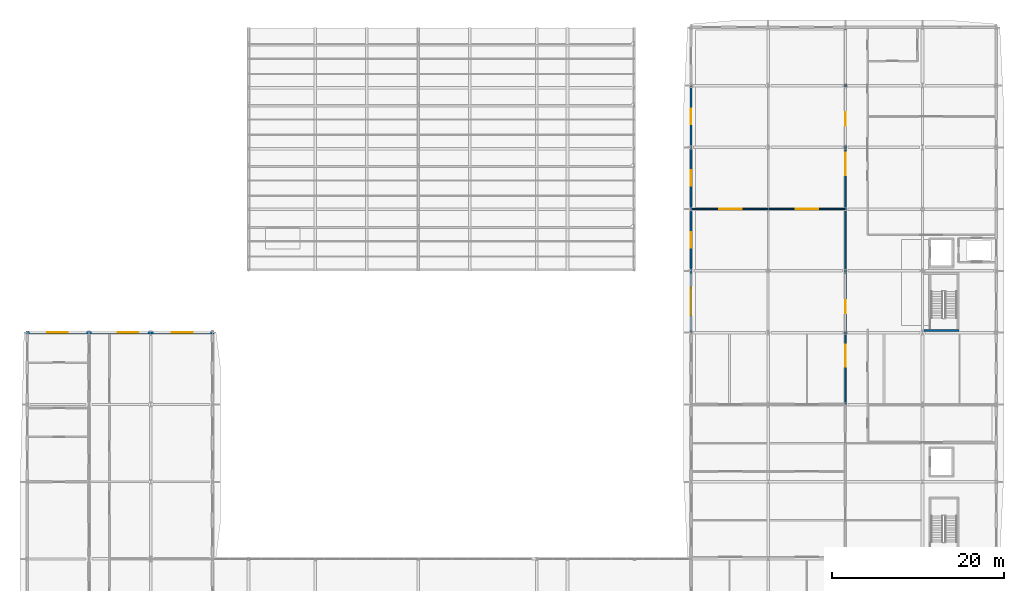
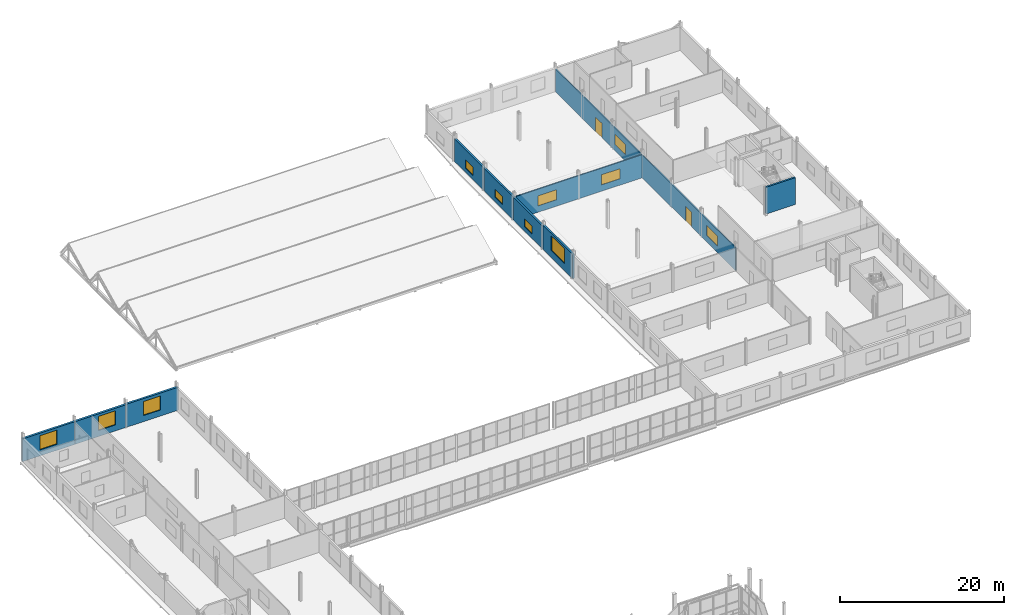
# One storey, part 121 of 138: 11 walls, 11 windows, 2 doors, 13 openings.
"""IFC4 building model written with IfcOpenShell, lengths in metres."""

from ifc_helpers import new_model, si_unit, direction, frame, frame_2d, origin, place, context, subcontext, project, spatial, rectangle, extrude, material, layer, layer_set, type_object, element, fill, save


model = new_model("IFC4")

# Units and contexts
model_context = context("Model", 3, precision=1e-05, world=origin(), true_north=direction((0.0, 1.0)))
body_context = subcontext(model_context, "Body", "Model", "MODEL_VIEW")
ifc_project = project(units=[si_unit("LENGTHUNIT", "METRE"), si_unit("AREAUNIT", "SQUARE_METRE"), si_unit("VOLUMEUNIT", "CUBIC_METRE"), si_unit("PLANEANGLEUNIT", "RADIAN"), si_unit("MASSUNIT", "GRAM", prefix="KILO")], contexts=[model_context])

# Site, building, storey
site_placement = place(None, origin())
site = spatial("IfcSite", under=ifc_project, at=site_placement, CompositionType="ELEMENT")
building_placement = place(site_placement, origin())
building = spatial("IfcBuilding", under=site, at=building_placement, Name="Vinh Khe Railworks Police Headquarters", CompositionType="ELEMENT")
storey_placement = place(building_placement, frame((0.0, 0.0, 9.0)))
storey = spatial("IfcBuildingStorey", under=building, at=storey_placement, Name="L02", CompositionType="ELEMENT", Elevation=9.0)

# Wall
ifc_material_1 = material(Name="Concrete C40/50 (B40)", Category="concrete")
ifc_layer_1 = layer(ifc_material_1, 0.25)
ifc_layer_set_1 = layer_set([ifc_layer_1], Name="Concrete C40/50 (B40)")
wall_type_1 = type_object("IfcWallType", Name="Core Shear Wall 250", PredefinedType="SHEAR", material=ifc_layer_set_1)
wall_1_placement = place(storey_placement, frame((105.14990234375, 131.02490234375, 0.0), z_axis=(0.0, 0.0, 1.0), x_axis=(1.0, 0.0, 0.0)))
element("IfcWall", 1, at=wall_1_placement, inside=storey, type_object=wall_type_1, Name="Core C3 STAIR-S Shear Wall (L02)", PredefinedType="SHEAR", context=body_context, shape_type="SweptSolid", body=[
    extrude(rectangle(XDim=4.10009765625, YDim=0.25, at=frame_2d((2.050048828125, 0.0))), origin(), (0.0, 0.0, 1.0), 3.97998046875),
])

# Wall, opening, window
ifc_material_2 = material(Name="Clay brickwork", Category="masonry")
ifc_layer_2 = layer(ifc_material_2, 0.260009765625)
ifc_layer_set_2 = layer_set([ifc_layer_2], Name="Clay brickwork")
wall_type_2 = type_object("IfcWallType", Name="EW-BRK-260", PredefinedType="SOLIDWALL", material=ifc_layer_set_2)
wall_2_placement = place(storey_placement, frame((78.0, 130.800048828125, 0.0), z_axis=(0.0, 0.0, 1.0), x_axis=(0.0, 1.0, 0.0)))
wall_2 = element("IfcWall", 2, at=wall_2_placement, inside=storey, type_object=wall_type_2, Name="Exterior Brick Wall EW-L02-V6W-05", PredefinedType="SOLIDWALL", context=body_context, shape_type="SweptSolid", body=[
    extrude(rectangle(XDim=7.199951171875, YDim=0.260009765625, at=frame_2d((3.60009765625, 0.0))), origin(), (0.0, 0.0, 1.0), 3.625),
])
opening_1_placement = place(wall_2_placement, frame((2.0, 0.0, 1.050048828125)))
opening_1 = element("IfcOpeningElement", 3, at=opening_1_placement, cuts=wall_2, Name="Opening WN-03", PredefinedType="OPENING", context=body_context, shape_type="SweptSolid", body=[
    extrude(rectangle(XDim=3.199951171875, YDim=2.199951171875, at=frame_2d((1.60009765625, 1.10009765625))), frame((0.0, 0.14501953125, 0.0), z_axis=(0.0, -1.0, 0.0), x_axis=(1.0, 0.0, 0.0)), (0.0, 0.0, 1.0), 0.289794921875),
])
ifc_material_3 = material(Name="Double-glazed solar-control glass in dark steel frame", Category="steel")
window_type_1 = type_object("IfcWindowType", Name="WIN-WN-03", PartitioningType="TRIPLE_PANEL_VERTICAL", PredefinedType="WINDOW", material=ifc_material_3)
window_1_placement = place(opening_1_placement, origin())
window_1 = element("IfcWindow", 4, at=window_1_placement, inside=storey, type_object=window_type_1, Name="Casement Window WN-03", OverallHeight=2.199951171875, OverallWidth=3.199951171875, PartitioningType="SINGLE_PANEL", PredefinedType="WINDOW", context=body_context, shape_type="SweptSolid", body=[
    extrude(rectangle(XDim=3.199951171875, YDim=2.199951171875, at=frame_2d((1.60009765625, 1.10009765625))), frame((0.0, 0.030029296875, 0.0), z_axis=(0.0, -1.0, 0.0), x_axis=(1.0, 0.0, 0.0)), (0.0, 0.0, 1.0), 0.06005859375),
])
fill(opening_1, window_1)

wall_3_placement = place(storey_placement, frame((78.0, 138.0, 0.0), z_axis=(0.0, 0.0, 1.0), x_axis=(0.0, 1.0, 0.0)))
wall_3 = element("IfcWall", 5, at=wall_3_placement, inside=storey, type_object=wall_type_2, Name="Exterior Brick Wall EW-L02-V6W-06", PredefinedType="SOLIDWALL", context=body_context, shape_type="SweptSolid", body=[
    extrude(rectangle(XDim=7.199951171875, YDim=0.260009765625, at=frame_2d((3.60009765625, 0.0))), origin(), (0.0, 0.0, 1.0), 3.375),
])
opening_2_placement = place(wall_3_placement, frame((2.699951171875, 0.0, 0.64990234375)))
opening_2 = element("IfcOpeningElement", 6, at=opening_2_placement, cuts=wall_3, Name="Opening WN-08", PredefinedType="OPENING", context=body_context, shape_type="SweptSolid", body=[
    extrude(rectangle(XDim=1.800048828125, YDim=1.199951171875, at=frame_2d((0.89990234375, 0.60009765625))), frame((0.0, 0.14501953125, 0.0), z_axis=(0.0, -1.0, 0.0), x_axis=(1.0, 0.0, 0.0)), (0.0, 0.0, 1.0), 0.289794921875),
])
window_type_2 = type_object("IfcWindowType", Name="WIN-WN-08", PartitioningType="SINGLE_PANEL", PredefinedType="WINDOW", material=ifc_material_3)
window_2_placement = place(opening_2_placement, origin())
window_2 = element("IfcWindow", 7, at=window_2_placement, inside=storey, type_object=window_type_2, Name="Casement Window WN-08", OverallHeight=1.199951171875, OverallWidth=1.800048828125, PartitioningType="SINGLE_PANEL", PredefinedType="WINDOW", context=body_context, shape_type="SweptSolid", body=[
    extrude(rectangle(XDim=1.800048828125, YDim=1.199951171875, at=frame_2d((0.89990234375, 0.60009765625))), frame((0.0, 0.030029296875, 0.0), z_axis=(0.0, -1.0, 0.0), x_axis=(1.0, 0.0, 0.0)), (0.0, 0.0, 1.0), 0.06005859375),
])
fill(opening_2, window_2)

wall_4_placement = place(storey_placement, frame((78.0, 145.199951171875, 0.0), z_axis=(0.0, 0.0, 1.0), x_axis=(0.0, 1.0, 0.0)))
wall_4 = element("IfcWall", 8, at=wall_4_placement, inside=storey, type_object=wall_type_2, Name="Exterior Brick Wall EW-L02-V6W-07", PredefinedType="SOLIDWALL", context=body_context, shape_type="SweptSolid", body=[
    extrude(rectangle(XDim=7.199951171875, YDim=0.260009765625, at=frame_2d((3.60009765625, 0.0))), origin(), (0.0, 0.0, 1.0), 3.375),
])
opening_3_placement = place(wall_4_placement, frame((2.699951171875, 0.0, 0.64990234375)))
opening_3 = element("IfcOpeningElement", 9, at=opening_3_placement, cuts=wall_4, Name="Opening WN-08", PredefinedType="OPENING", context=body_context, shape_type="SweptSolid", body=[
    extrude(rectangle(XDim=1.800048828125, YDim=1.199951171875, at=frame_2d((0.89990234375, 0.60009765625))), frame((0.0, 0.14501953125, 0.0), z_axis=(0.0, -1.0, 0.0), x_axis=(1.0, 0.0, 0.0)), (0.0, 0.0, 1.0), 0.289794921875),
])
window_3_placement = place(opening_3_placement, origin())
window_3 = element("IfcWindow", 10, at=window_3_placement, inside=storey, type_object=window_type_2, Name="Casement Window WN-08", OverallHeight=1.199951171875, OverallWidth=1.800048828125, PartitioningType="SINGLE_PANEL", PredefinedType="WINDOW", context=body_context, shape_type="SweptSolid", body=[
    extrude(rectangle(XDim=1.800048828125, YDim=1.199951171875, at=frame_2d((0.89990234375, 0.60009765625))), frame((0.0, 0.030029296875, 0.0), z_axis=(0.0, -1.0, 0.0), x_axis=(1.0, 0.0, 0.0)), (0.0, 0.0, 1.0), 0.06005859375),
])
fill(opening_3, window_3)

wall_5_placement = place(storey_placement, frame((78.0, 152.39990234375, 0.0), z_axis=(0.0, 0.0, 1.0), x_axis=(0.0, 1.0, 0.0)))
wall_5 = element("IfcWall", 11, at=wall_5_placement, inside=storey, type_object=wall_type_2, Name="Exterior Brick Wall EW-L02-V6W-08", PredefinedType="SOLIDWALL", context=body_context, shape_type="SweptSolid", body=[
    extrude(rectangle(XDim=7.2001953125, YDim=0.260009765625, at=frame_2d((3.60009765625, 0.0))), origin(), (0.0, 0.0, 1.0), 3.375),
])
opening_4_placement = place(wall_5_placement, frame((2.699951171875, 0.0, 0.64990234375)))
opening_4 = element("IfcOpeningElement", 12, at=opening_4_placement, cuts=wall_5, Name="Opening WN-08", PredefinedType="OPENING", context=body_context, shape_type="SweptSolid", body=[
    extrude(rectangle(XDim=1.800048828125, YDim=1.199951171875, at=frame_2d((0.89990234375, 0.60009765625))), frame((0.0, 0.14501953125, 0.0), z_axis=(0.0, -1.0, 0.0), x_axis=(1.0, 0.0, 0.0)), (0.0, 0.0, 1.0), 0.289794921875),
])
window_4_placement = place(opening_4_placement, origin())
window_4 = element("IfcWindow", 13, at=window_4_placement, inside=storey, type_object=window_type_2, Name="Casement Window WN-08", OverallHeight=1.199951171875, OverallWidth=1.800048828125, PartitioningType="SINGLE_PANEL", PredefinedType="WINDOW", context=body_context, shape_type="SweptSolid", body=[
    extrude(rectangle(XDim=1.800048828125, YDim=1.199951171875, at=frame_2d((0.89990234375, 0.60009765625))), frame((0.0, 0.030029296875, 0.0), z_axis=(0.0, -1.0, 0.0), x_axis=(1.0, 0.0, 0.0)), (0.0, 0.0, 1.0), 0.06005859375),
])
fill(opening_4, window_4)

ifc_layer_3 = layer(ifc_material_2, 0.300048828125)
ifc_layer_set_3 = layer_set([ifc_layer_3], Name="Clay brickwork")
wall_type_3 = type_object("IfcWallType", Name="EW-BRK-300", PredefinedType="SOLIDWALL", material=ifc_layer_set_3)
wall_6_placement = place(storey_placement, frame((0.449951171875, 130.800048828125, 0.0), z_axis=(0.0, 0.0, 1.0), x_axis=(1.0, 0.0, 0.0)))
wall_6 = element("IfcWall", 14, at=wall_6_placement, inside=storey, type_object=wall_type_3, Name="Exterior Brick Wall EW-L02-V5N-01", PredefinedType="SOLIDWALL", context=body_context, shape_type="SweptSolid", body=[
    extrude(rectangle(XDim=7.35009765625, YDim=0.300048828125, at=frame_2d((3.675048828125, 0.0))), origin(), (0.0, 0.0, 1.0), 3.375),
])
opening_5_placement = place(wall_6_placement, frame((2.47509765625, 0.0, 0.89990234375)))
opening_5 = element("IfcOpeningElement", 15, at=opening_5_placement, cuts=wall_6, Name="Opening WN-02", PredefinedType="OPENING", context=body_context, shape_type="SweptSolid", body=[
    extrude(rectangle(XDim=2.39990234375, YDim=2.10009765625, at=frame_2d((1.199951171875, 1.050048828125))), frame((0.0, 0.1650390625, 0.0), z_axis=(0.0, -1.0, 0.0), x_axis=(1.0, 0.0, 0.0)), (0.0, 0.0, 1.0), 0.329833984375),
])
window_type_3 = type_object("IfcWindowType", Name="WIN-WN-02", PartitioningType="DOUBLE_PANEL_VERTICAL", PredefinedType="WINDOW", material=ifc_material_3)
window_5_placement = place(opening_5_placement, origin())
window_5 = element("IfcWindow", 16, at=window_5_placement, inside=storey, type_object=window_type_3, Name="Casement Window WN-02", OverallHeight=2.10009765625, OverallWidth=2.39990234375, PartitioningType="SINGLE_PANEL", PredefinedType="WINDOW", context=body_context, shape_type="SweptSolid", body=[
    extrude(rectangle(XDim=2.39990234375, YDim=2.10009765625, at=frame_2d((1.199951171875, 1.050048828125))), frame((0.0, 0.030029296875, 0.0), z_axis=(0.0, -1.0, 0.0), x_axis=(1.0, 0.0, 0.0)), (0.0, 0.0, 1.0), 0.06005859375),
])
fill(opening_5, window_5)

wall_7_placement = place(storey_placement, frame((7.800048828125, 130.800048828125, 0.0), z_axis=(0.0, 0.0, 1.0), x_axis=(1.0, 0.0, 0.0)))
wall_7 = element("IfcWall", 17, at=wall_7_placement, inside=storey, type_object=wall_type_3, Name="Exterior Brick Wall EW-L02-V5N-02", PredefinedType="SOLIDWALL", context=body_context, shape_type="SweptSolid", body=[
    extrude(rectangle(XDim=7.199951171875, YDim=0.300048828125, at=frame_2d((3.60009765625, 0.0))), origin(), (0.0, 0.0, 1.0), 3.375),
])
opening_6_placement = place(wall_7_placement, frame((3.35009765625, 0.0, 0.89990234375)))
opening_6 = element("IfcOpeningElement", 18, at=opening_6_placement, cuts=wall_7, Name="Opening WN-02", PredefinedType="OPENING", context=body_context, shape_type="SweptSolid", body=[
    extrude(rectangle(XDim=2.39990234375, YDim=2.10009765625, at=frame_2d((1.199951171875, 1.050048828125))), frame((0.0, 0.1650390625, 0.0), z_axis=(0.0, -1.0, 0.0), x_axis=(1.0, 0.0, 0.0)), (0.0, 0.0, 1.0), 0.329833984375),
])
window_6_placement = place(opening_6_placement, origin())
window_6 = element("IfcWindow", 19, at=window_6_placement, inside=storey, type_object=window_type_3, Name="Casement Window WN-02", OverallHeight=2.10009765625, OverallWidth=2.39990234375, PartitioningType="SINGLE_PANEL", PredefinedType="WINDOW", context=body_context, shape_type="SweptSolid", body=[
    extrude(rectangle(XDim=2.39990234375, YDim=2.10009765625, at=frame_2d((1.199951171875, 1.050048828125))), frame((0.0, 0.030029296875, 0.0), z_axis=(0.0, -1.0, 0.0), x_axis=(1.0, 0.0, 0.0)), (0.0, 0.0, 1.0), 0.06005859375),
])
fill(opening_6, window_6)

wall_8_placement = place(storey_placement, frame((15.0, 130.800048828125, 0.0), z_axis=(0.0, 0.0, 1.0), x_axis=(1.0, 0.0, 0.0)))
wall_8 = element("IfcWall", 20, at=wall_8_placement, inside=storey, type_object=wall_type_3, Name="Exterior Brick Wall EW-L02-V5N-03", PredefinedType="SOLIDWALL", context=body_context, shape_type="SweptSolid", body=[
    extrude(rectangle(XDim=7.35009765625, YDim=0.300048828125, at=frame_2d((3.675048828125, 0.0))), origin(), (0.0, 0.0, 1.0), 3.425048828125),
])
opening_7_placement = place(wall_8_placement, frame((2.47509765625, 0.0, 0.89990234375)))
opening_7 = element("IfcOpeningElement", 21, at=opening_7_placement, cuts=wall_8, Name="Opening WN-02", PredefinedType="OPENING", context=body_context, shape_type="SweptSolid", body=[
    extrude(rectangle(XDim=2.39990234375, YDim=2.10009765625, at=frame_2d((1.199951171875, 1.050048828125))), frame((0.0, 0.1650390625, 0.0), z_axis=(0.0, -1.0, 0.0), x_axis=(1.0, 0.0, 0.0)), (0.0, 0.0, 1.0), 0.329833984375),
])
window_7_placement = place(opening_7_placement, origin())
window_7 = element("IfcWindow", 22, at=window_7_placement, inside=storey, type_object=window_type_3, Name="Casement Window WN-02", OverallHeight=2.10009765625, OverallWidth=2.39990234375, PartitioningType="SINGLE_PANEL", PredefinedType="WINDOW", context=body_context, shape_type="SweptSolid", body=[
    extrude(rectangle(XDim=2.39990234375, YDim=2.10009765625, at=frame_2d((1.199951171875, 1.050048828125))), frame((0.0, 0.030029296875, 0.0), z_axis=(0.0, -1.0, 0.0), x_axis=(1.0, 0.0, 0.0)), (0.0, 0.0, 1.0), 0.06005859375),
])
fill(opening_7, window_7)

# Wall, openings, windows
ifc_material_4 = material(Name="Gypsum plasterboard on steel stud", Category="steel")
ifc_layer_4 = layer(ifc_material_4, 0.1201171875)
ifc_layer_set_4 = layer_set([ifc_layer_4], Name="Gypsum plasterboard on steel stud")
wall_type_4 = type_object("IfcWallType", Name="IW-PART-120", PredefinedType="PARTITIONING", material=ifc_layer_set_4)
wall_9_placement = place(storey_placement, frame((78.139892578125, 145.199951171875, 0.0), z_axis=(0.0, 0.0, 1.0), x_axis=(1.0, 0.0, 0.0)))
wall_9 = element("IfcWall", 23, at=wall_9_placement, inside=storey, type_object=wall_type_4, Name="Interior Partition W-L02-V6-MIBRF-DIV", PredefinedType="PARTITIONING", context=body_context, shape_type="SweptSolid", body=[
    extrude(rectangle(XDim=17.860107421875, YDim=0.14990234375, at=frame_2d((8.93017578125, 0.0))), origin(), (0.0, 0.0, 1.0), 3.43505859375),
])
opening_8_placement = place(wall_9_placement, frame((3.1650390625, 0.0, 0.949951171875)))
opening_8 = element("IfcOpeningElement", 24, at=opening_8_placement, cuts=wall_9, Name="Opening WN-07", PredefinedType="OPENING", context=body_context, shape_type="SweptSolid", body=[
    extrude(rectangle(XDim=2.60009765625, YDim=1.5, at=frame_2d((1.300048828125, 0.75))), frame((0.0, 0.08984375, 0.0), z_axis=(0.0, -1.0, 0.0), x_axis=(1.0, 0.0, 0.0)), (0.0, 0.0, 1.0), 0.1796875),
])
opening_9_placement = place(wall_9_placement, frame((12.094970703125, 0.0, 0.949951171875)))
opening_9 = element("IfcOpeningElement", 25, at=opening_9_placement, cuts=wall_9, Name="Opening WN-07", PredefinedType="OPENING", context=body_context, shape_type="SweptSolid", body=[
    extrude(rectangle(XDim=2.60009765625, YDim=1.5, at=frame_2d((1.300048828125, 0.75))), frame((0.0, 0.08984375, 0.0), z_axis=(0.0, -1.0, 0.0), x_axis=(1.0, 0.0, 0.0)), (0.0, 0.0, 1.0), 0.1796875),
])
window_type_4 = type_object("IfcWindowType", Name="WIN-WN-07", PartitioningType="DOUBLE_PANEL_HORIZONTAL", PredefinedType="WINDOW", material=ifc_material_3)
window_8_placement = place(opening_8_placement, origin())
window_8 = element("IfcWindow", 26, at=window_8_placement, inside=storey, type_object=window_type_4, Name="Interior Acoustic Vision Window WN-07", OverallHeight=1.5, OverallWidth=2.60009765625, PartitioningType="SINGLE_PANEL", PredefinedType="WINDOW", context=body_context, shape_type="SweptSolid", body=[
    extrude(rectangle(XDim=2.60009765625, YDim=1.5, at=frame_2d((1.300048828125, 0.75))), frame((0.0, 0.030029296875, 0.0), z_axis=(0.0, -1.0, 0.0), x_axis=(1.0, 0.0, 0.0)), (0.0, 0.0, 1.0), 0.06005859375),
])
fill(opening_8, window_8)
window_9_placement = place(opening_9_placement, origin())
window_9 = element("IfcWindow", 27, at=window_9_placement, inside=storey, type_object=window_type_4, Name="Interior Acoustic Vision Window WN-07", OverallHeight=1.5, OverallWidth=2.60009765625, PartitioningType="SINGLE_PANEL", PredefinedType="WINDOW", context=body_context, shape_type="SweptSolid", body=[
    extrude(rectangle(XDim=2.60009765625, YDim=1.5, at=frame_2d((1.300048828125, 0.75))), frame((0.0, 0.030029296875, 0.0), z_axis=(0.0, -1.0, 0.0), x_axis=(1.0, 0.0, 0.0)), (0.0, 0.0, 1.0), 0.06005859375),
])
fill(opening_9, window_9)

# Wall, openings, door, window
ifc_material_5 = material(Name="Gypsum plasterboard on acoustic steel stud", Category="steel")
ifc_layer_5 = layer(ifc_material_5, 0.14990234375)
ifc_layer_set_5 = layer_set([ifc_layer_5], Name="Gypsum plasterboard on acoustic steel stud")
wall_type_5 = type_object("IfcWallType", Name="IW-PART-150", PredefinedType="PARTITIONING", material=ifc_layer_set_5)
wall_10_placement = place(storey_placement, frame((96.0, 122.39990234375, 0.0), z_axis=(0.0, 0.0, 1.0), x_axis=(0.0, 1.0, 0.0)))
wall_10 = element("IfcWall", 28, at=wall_10_placement, inside=storey, type_object=wall_type_5, Name="Interior Partition W-L02-V6-FBALL-CW", PredefinedType="PARTITIONING", context=body_context, shape_type="SweptSolid", body=[
    extrude(rectangle(XDim=22.800048828125, YDim=0.14990234375, at=frame_2d((11.39990234375, 0.0))), origin(), (0.0, 0.0, 1.0), 3.375),
])
opening_10_placement = place(wall_10_placement, frame((10.64990234375, 0.0, 0.0)))
opening_10 = element("IfcOpeningElement", 29, at=opening_10_placement, cuts=wall_10, Name="Opening FD-02", PredefinedType="OPENING", context=body_context, shape_type="SweptSolid", body=[
    extrude(rectangle(XDim=1.5, YDim=2.14990234375, at=frame_2d((0.75, 1.074951171875))), frame((0.0, 0.08984375, 0.0), z_axis=(0.0, -1.0, 0.0), x_axis=(1.0, 0.0, 0.0)), (0.0, 0.0, 1.0), 0.1796875),
])
opening_11_placement = place(wall_10_placement, frame((4.39990234375, 0.0, 0.949951171875)))
opening_11 = element("IfcOpeningElement", 30, at=opening_11_placement, cuts=wall_10, Name="Opening WN-07", PredefinedType="OPENING", context=body_context, shape_type="SweptSolid", body=[
    extrude(rectangle(XDim=2.60009765625, YDim=1.5, at=frame_2d((1.300048828125, 0.75))), frame((0.0, 0.08984375, 0.0), z_axis=(0.0, -1.0, 0.0), x_axis=(1.0, 0.0, 0.0)), (0.0, 0.0, 1.0), 0.1796875),
])
ifc_material_6 = material(Name="Painted galvanised steel", Category="steel")
door_type_1 = type_object("IfcDoorType", Name="FD-1500x2150", OperationType="DOUBLE_DOOR_SINGLE_SWING", PredefinedType="DOOR", material=ifc_material_6)
door_1_placement = place(opening_10_placement, origin())
door_1 = element("IfcDoor", 31, at=door_1_placement, inside=storey, type_object=door_type_1, Name="Ballistics Forensic Laboratory Door", OperationType="DOUBLE_DOOR_SINGLE_SWING", OverallHeight=2.14990234375, OverallWidth=1.5, PredefinedType="DOOR", context=body_context, shape_type="SweptSolid", body=[
    extrude(rectangle(XDim=1.5, YDim=2.14990234375, at=frame_2d((0.75, 1.074951171875))), frame((0.0, 0.02490234375, 0.0), z_axis=(0.0, -1.0, 0.0), x_axis=(1.0, 0.0, 0.0)), (0.0, 0.0, 1.0), 0.050048828125),
])
fill(opening_10, door_1)
window_10_placement = place(opening_11_placement, origin())
window_10 = element("IfcWindow", 32, at=window_10_placement, inside=storey, type_object=window_type_4, Name="Interior Acoustic Vision Window WN-07", OverallHeight=1.5, OverallWidth=2.60009765625, PartitioningType="SINGLE_PANEL", PredefinedType="WINDOW", context=body_context, shape_type="SweptSolid", body=[
    extrude(rectangle(XDim=2.60009765625, YDim=1.5, at=frame_2d((1.300048828125, 0.75))), frame((0.0, 0.030029296875, 0.0), z_axis=(0.0, -1.0, 0.0), x_axis=(1.0, 0.0, 0.0)), (0.0, 0.0, 1.0), 0.06005859375),
])
fill(opening_11, window_10)

wall_11_placement = place(storey_placement, frame((96.0, 145.199951171875, 0.0), z_axis=(0.0, 0.0, 1.0), x_axis=(0.0, 1.0, 0.0)))
wall_11 = element("IfcWall", 33, at=wall_11_placement, inside=storey, type_object=wall_type_5, Name="Interior Partition W-L02-V6-MIBRF-CW", PredefinedType="PARTITIONING", context=body_context, shape_type="SweptSolid", body=[
    extrude(rectangle(XDim=21.0400390625, YDim=0.14990234375, at=frame_2d((10.52001953125, 0.0))), origin(), (0.0, 0.0, 1.0), 3.375),
])
opening_12_placement = place(wall_11_placement, frame((9.719970703125, 0.0, 0.0)))
opening_12 = element("IfcOpeningElement", 34, at=opening_12_placement, cuts=wall_11, Name="Opening D-03", PredefinedType="OPENING", context=body_context, shape_type="SweptSolid", body=[
    extrude(rectangle(XDim=1.60009765625, YDim=2.14990234375, at=frame_2d((0.800048828125, 1.074951171875))), frame((0.0, 0.08984375, 0.0), z_axis=(0.0, -1.0, 0.0), x_axis=(1.0, 0.0, 0.0)), (0.0, 0.0, 1.0), 0.1796875),
])
opening_13_placement = place(wall_11_placement, frame((3.9599609375, 0.0, 0.949951171875)))
opening_13 = element("IfcOpeningElement", 35, at=opening_13_placement, cuts=wall_11, Name="Opening WN-07", PredefinedType="OPENING", context=body_context, shape_type="SweptSolid", body=[
    extrude(rectangle(XDim=2.60009765625, YDim=1.5, at=frame_2d((1.300048828125, 0.75))), frame((0.0, 0.08984375, 0.0), z_axis=(0.0, -1.0, 0.0), x_axis=(1.0, 0.0, 0.0)), (0.0, 0.0, 1.0), 0.1796875),
])
door_type_2 = type_object("IfcDoorType", Name="ID-1600x2150", OperationType="DOUBLE_DOOR_SINGLE_SWING", PredefinedType="DOOR", material=ifc_material_6)
door_2_placement = place(opening_12_placement, origin())
door_2 = element("IfcDoor", 36, at=door_2_placement, inside=storey, type_object=door_type_2, Name="Major Incident Briefing Room Door", OperationType="DOUBLE_DOOR_SINGLE_SWING", OverallHeight=2.14990234375, OverallWidth=1.60009765625, PredefinedType="DOOR", context=body_context, shape_type="SweptSolid", body=[
    extrude(rectangle(XDim=1.60009765625, YDim=2.14990234375, at=frame_2d((0.800048828125, 1.074951171875))), frame((0.0, 0.02490234375, 0.0), z_axis=(0.0, -1.0, 0.0), x_axis=(1.0, 0.0, 0.0)), (0.0, 0.0, 1.0), 0.050048828125),
])
fill(opening_12, door_2)
window_11_placement = place(opening_13_placement, origin())
window_11 = element("IfcWindow", 37, at=window_11_placement, inside=storey, type_object=window_type_4, Name="Interior Acoustic Vision Window WN-07", OverallHeight=1.5, OverallWidth=2.60009765625, PartitioningType="SINGLE_PANEL", PredefinedType="WINDOW", context=body_context, shape_type="SweptSolid", body=[
    extrude(rectangle(XDim=2.60009765625, YDim=1.5, at=frame_2d((1.300048828125, 0.75))), frame((0.0, 0.030029296875, 0.0), z_axis=(0.0, -1.0, 0.0), x_axis=(1.0, 0.0, 0.0)), (0.0, 0.0, 1.0), 0.06005859375),
])
fill(opening_13, window_11)

save(model, "model.ifc")
